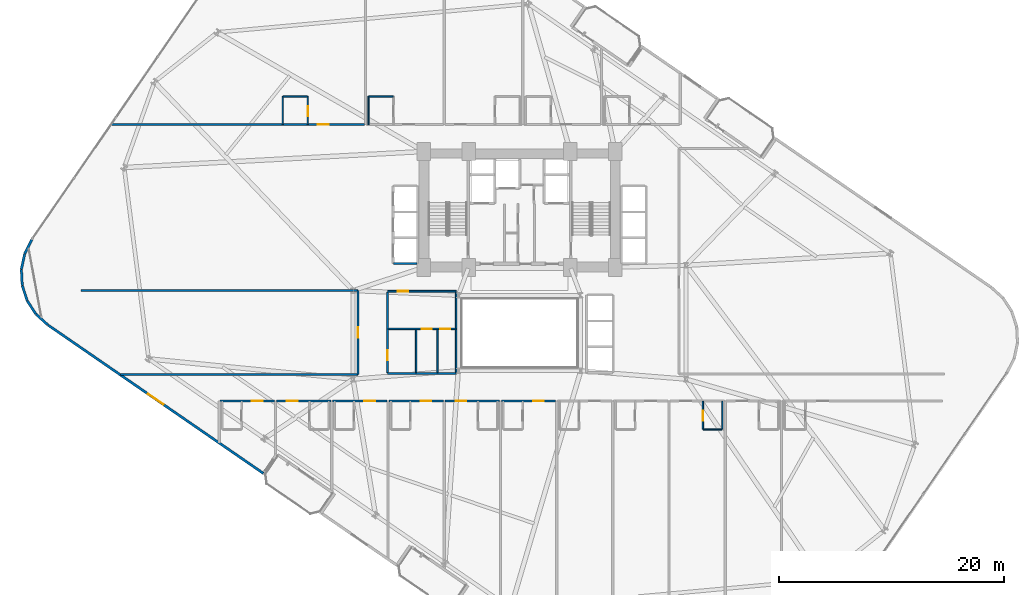
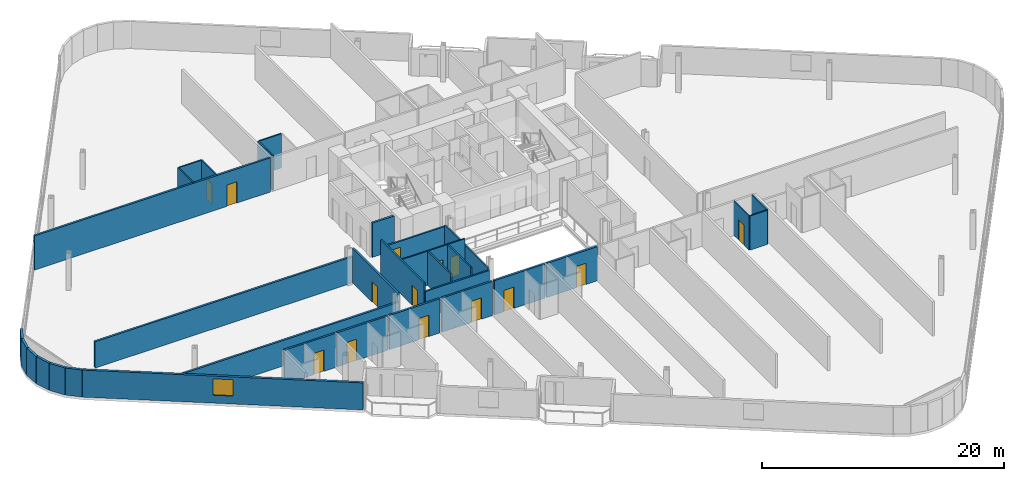
# One storey, part 20 of 27: 33 walls, 14 doors, 1 window, 15 openings.
"""IFC4 building model written with IfcOpenShell, lengths in metres."""

from ifc_helpers import new_model, si_unit, direction, frame, frame_2d, origin, place, context, subcontext, project, spatial, rectangle, extrude, material, layer, layer_set, type_object, element, fill, save


model = new_model("IFC4")

# Units and contexts
model_context = context("Model", 3, precision=1e-05, world=origin(), true_north=direction((0.0, 1.0)))
body_context = subcontext(model_context, "Body", "Model", "MODEL_VIEW")
ifc_project = project(units=[si_unit("LENGTHUNIT", "METRE"), si_unit("AREAUNIT", "SQUARE_METRE"), si_unit("VOLUMEUNIT", "CUBIC_METRE"), si_unit("PLANEANGLEUNIT", "RADIAN"), si_unit("MASSUNIT", "GRAM", prefix="KILO")], contexts=[model_context])

# Site, building, storey
site_placement = place(None, origin())
site = spatial("IfcSite", under=ifc_project, at=site_placement, CompositionType="ELEMENT")
building_placement = place(site_placement, origin())
building = spatial("IfcBuilding", under=site, at=building_placement, Name="Varnelok Gate Tower", CompositionType="ELEMENT")
storey_placement = place(building_placement, frame((0.0, 0.0, 30.699951171875)))
storey = spatial("IfcBuildingStorey", under=building, at=storey_placement, Name="L06", CompositionType="ELEMENT", Elevation=30.699951171875)

# Walls
ifc_material_1 = material(Name="Concrete C45/55", Category="concrete")
ifc_layer_1 = layer(ifc_material_1, 0.219970703125)
ifc_layer_set_1 = layer_set([ifc_layer_1], Name="Concrete C45/55")
wall_type_1 = type_object("IfcWallType", Name="EW-BALC-220", PredefinedType="SOLIDWALL", material=ifc_layer_set_1)
wall_1_placement = place(storey_placement, frame((-4.158203125, 31.24462890625, 0.0), z_axis=(0.0, 0.0, 1.0), x_axis=(-0.454777156549, -0.890605264908, 0.0)))
element("IfcWall", 1, at=wall_1_placement, inside=storey, type_object=wall_type_1, Name="L06 Perimeter Facade Closure Wall 1", PredefinedType="SOLIDWALL", context=body_context, shape_type="SweptSolid", body=[
    extrude(rectangle(XDim=1.43017578125, YDim=0.219970703125, at=frame_2d((0.715087890625, 0.0))), origin(), (0.0, 0.0, 1.0), 2.72998046875),
])
for number, where, z_axis, x_axis, name in (
    (2, (-4.81396484375, 29.946533203125, 0.0), (0.0, 0.0, 1.0), (-0.208829011645, -0.977952168511, 0.0), "L06 Perimeter Facade Closure Wall 2"),
    (3, (-5.106201171875, 28.547119140625, 0.0), (0.0, 0.0, 1.0), (0.051254741739, -0.998685611917, 0.0), "L06 Perimeter Facade Closure Wall 3"),
    (4, (-5.026611328125, 27.1201171875, 0.0), (0.0, 0.0, 1.0), (0.308190297603, -0.95132472924, 0.0), "L06 Perimeter Facade Closure Wall 4"),
    (5, (-4.580078125, 25.76220703125, 0.0), (0.0, 0.0, 1.0), (0.543748195851, -0.839248413468, 0.0), "L06 Perimeter Facade Closure Wall 5"),
):
    element("IfcWall", number, at=place(storey_placement, frame(where, z_axis=z_axis, x_axis=x_axis)), inside=storey, type_object=wall_type_1, Name=name, PredefinedType="SOLIDWALL", context=body_context, shape_type="SweptSolid", body=[
        extrude(rectangle(XDim=1.4052734375, YDim=0.219970703125, at=frame_2d((0.70263671875, 0.0))), origin(), (0.0, 0.0, 1.0), 2.72998046875),
    ])
wall_2_placement = place(storey_placement, frame((-3.79736328125, 24.56591796875, 0.0), z_axis=(0.0, 0.0, 1.0), x_axis=(0.742537711837, -0.66980425984, 0.0)))
element("IfcWall", 6, at=wall_2_placement, inside=storey, type_object=wall_type_1, Name="L06 Perimeter Facade Closure Wall 6", PredefinedType="SOLIDWALL", context=body_context, shape_type="SweptSolid", body=[
    extrude(rectangle(XDim=1.4130859375, YDim=0.219970703125, at=frame_2d((0.70654296875, 0.0))), origin(), (0.0, 0.0, 1.0), 2.72998046875),
])

# Wall, opening, window
wall_3_placement = place(storey_placement, frame((-2.7275390625, 23.60498046875, 0.0), z_axis=(0.0, 0.0, 1.0), x_axis=(0.823535075462, -0.567265351915, 0.0)))
wall_3 = element("IfcWall", 7, at=wall_3_placement, inside=storey, type_object=wall_type_1, Name="L06 Perimeter Facade Closure Wall 7", PredefinedType="SOLIDWALL", context=body_context, shape_type="SweptSolid", body=[
    extrude(rectangle(XDim=23.2470703125, YDim=0.219970703125, at=frame_2d((11.62353515625, 0.0))), origin(), (0.0, 0.0, 1.0), 2.72998046875),
])
opening_1_placement = place(wall_3_placement, frame((10.798583984375, 0.0, 0.800048828125)))
opening_1 = element("IfcOpeningElement", 8, at=opening_1_placement, cuts=wall_3, Name="Opening WN3", PredefinedType="OPENING", context=body_context, shape_type="SweptSolid", body=[
    extrude(rectangle(XDim=1.64990234375, YDim=1.64990234375, at=frame_2d((0.824951171875, 0.824951171875))), frame((0.0, 0.119873046875, 0.0), z_axis=(0.0, -1.0, 0.0), x_axis=(1.0, 0.0, 0.0)), (0.0, 0.0, 1.0), 0.239990234375),
])
ifc_material_2 = material(Name="Low-E Laminated Double Glazing IGU", Category="glass")
window_type = type_object("IfcWindowType", Name="WN-HTL-1650", PartitioningType="SINGLE_PANEL", PredefinedType="WINDOW", material=ifc_material_2)
window_placement = place(opening_1_placement, origin())
window = element("IfcWindow", 9, at=window_placement, inside=storey, type_object=window_type, Name="L06 Perimeter Vision Window 7", OverallHeight=1.64990234375, OverallWidth=1.64990234375, PartitioningType="SINGLE_PANEL", PredefinedType="WINDOW", context=body_context, shape_type="SweptSolid", body=[
    extrude(rectangle(XDim=1.64990234375, YDim=1.64990234375, at=frame_2d((0.824951171875, 0.824951171875))), frame((0.0, 0.030029296875, 0.0), z_axis=(0.0, -1.0, 0.0), x_axis=(1.0, 0.0, 0.0)), (0.0, 0.0, 1.0), 0.06005859375),
])
fill(opening_1, window)

# Wall, opening, door
ifc_material_3 = material(Name="Gypsum Plasterboard Acoustic Partition", Category="gypsum")
ifc_layer_2 = layer(ifc_material_3, 0.179931640625)
ifc_layer_set_2 = layer_set([ifc_layer_2], Name="Gypsum Plasterboard Acoustic Partition")
wall_type_2 = type_object("IfcWallType", Name="PW-CORR-180", PredefinedType="PARTITIONING", material=ifc_layer_set_2)
wall_4_placement = place(storey_placement, frame((12.580078125, 16.85009765625, 0.0), z_axis=(0.0, 0.0, 1.0), x_axis=(1.0, 0.0, 0.0)))
wall_4 = element("IfcWall", 10, at=wall_4_placement, inside=storey, type_object=wall_type_2, Name="Interior Partition", PredefinedType="PARTITIONING", context=body_context, shape_type="SweptSolid", body=[
    extrude(rectangle(XDim=4.83984375, YDim=0.179931640625, at=frame_2d((2.419921875, 0.0))), origin(), (0.0, 0.0, 1.0), 3.449951171875),
])
opening_2_placement = place(wall_4_placement, frame((2.819091796875, 0.0, 0.0)))
opening_2 = element("IfcOpeningElement", 11, at=opening_2_placement, cuts=wall_4, Name="Opening D-HT", PredefinedType="OPENING", context=body_context, shape_type="SweptSolid", body=[
    extrude(rectangle(XDim=0.949951171875, YDim=2.14990234375, at=frame_2d((0.47509765625, 1.074951171875))), frame((0.0, 0.099853515625, 0.0), z_axis=(0.0, -1.0, 0.0), x_axis=(1.0, 0.0, 0.0)), (0.0, 0.0, 1.0), 0.199951171875),
])
ifc_material_4 = material(Name="Engineered Hardwood Timber", Category="wood")
door_type_1 = type_object("IfcDoorType", Name="DR-HTL-950", OperationType="NOTDEFINED", PredefinedType="DOOR", material=ifc_material_4)
door_1_placement = place(opening_2_placement, origin())
door_1 = element("IfcDoor", 12, at=door_1_placement, inside=storey, type_object=door_type_1, Name="L06 Guest Room 02 Entrance Door", OperationType="SINGLE_SWING_LEFT", OverallHeight=2.14990234375, OverallWidth=0.949951171875, PredefinedType="DOOR", context=body_context, shape_type="SweptSolid", body=[
    extrude(rectangle(XDim=0.949951171875, YDim=2.14990234375, at=frame_2d((0.47509765625, 1.074951171875))), frame((0.0, 0.02490234375, 0.0), z_axis=(0.0, -1.0, 0.0), x_axis=(1.0, 0.0, 0.0)), (0.0, 0.0, 1.0), 0.050048828125),
])
fill(opening_2, door_1)

wall_5_placement = place(storey_placement, frame((17.580078125, 16.85009765625, 0.0), z_axis=(0.0, 0.0, 1.0), x_axis=(1.0, 0.0, 0.0)))
wall_5 = element("IfcWall", 13, at=wall_5_placement, inside=storey, type_object=wall_type_2, Name="Interior Partition", PredefinedType="PARTITIONING", context=body_context, shape_type="SweptSolid", body=[
    extrude(rectangle(XDim=4.83984375, YDim=0.179931640625, at=frame_2d((2.419921875, 0.0))), origin(), (0.0, 0.0, 1.0), 3.449951171875),
])
opening_3_placement = place(wall_5_placement, frame((0.92919921875, 0.0, 0.0)))
opening_3 = element("IfcOpeningElement", 14, at=opening_3_placement, cuts=wall_5, Name="Opening D-HT", PredefinedType="OPENING", context=body_context, shape_type="SweptSolid", body=[
    extrude(rectangle(XDim=0.949951171875, YDim=2.14990234375, at=frame_2d((0.47509765625, 1.074951171875))), frame((0.0, 0.099853515625, 0.0), z_axis=(0.0, -1.0, 0.0), x_axis=(1.0, 0.0, 0.0)), (0.0, 0.0, 1.0), 0.199951171875),
])
door_2_placement = place(opening_3_placement, origin())
door_2 = element("IfcDoor", 15, at=door_2_placement, inside=storey, type_object=door_type_1, Name="L06 Guest Room 03 Entrance Door", OperationType="SINGLE_SWING_RIGHT", OverallHeight=2.14990234375, OverallWidth=0.949951171875, PredefinedType="DOOR", context=body_context, shape_type="SweptSolid", body=[
    extrude(rectangle(XDim=0.949951171875, YDim=2.14990234375, at=frame_2d((0.47509765625, 1.074951171875))), frame((0.0, 0.02490234375, 0.0), z_axis=(0.0, -1.0, 0.0), x_axis=(1.0, 0.0, 0.0)), (0.0, 0.0, 1.0), 0.050048828125),
])
fill(opening_3, door_2)

wall_6_placement = place(storey_placement, frame((22.580078125, 16.85009765625, 0.0), z_axis=(0.0, 0.0, 1.0), x_axis=(1.0, 0.0, 0.0)))
wall_6 = element("IfcWall", 16, at=wall_6_placement, inside=storey, type_object=wall_type_2, Name="Interior Partition", PredefinedType="PARTITIONING", context=body_context, shape_type="SweptSolid", body=[
    extrude(rectangle(XDim=4.83984375, YDim=0.179931640625, at=frame_2d((2.419921875, 0.0))), origin(), (0.0, 0.0, 1.0), 3.449951171875),
])
opening_4_placement = place(wall_6_placement, frame((2.819091796875, 0.0, 0.0)))
opening_4 = element("IfcOpeningElement", 17, at=opening_4_placement, cuts=wall_6, Name="Opening D-HT", PredefinedType="OPENING", context=body_context, shape_type="SweptSolid", body=[
    extrude(rectangle(XDim=0.949951171875, YDim=2.14990234375, at=frame_2d((0.47509765625, 1.074951171875))), frame((0.0, 0.099853515625, 0.0), z_axis=(0.0, -1.0, 0.0), x_axis=(1.0, 0.0, 0.0)), (0.0, 0.0, 1.0), 0.199951171875),
])
door_3_placement = place(opening_4_placement, origin())
door_3 = element("IfcDoor", 18, at=door_3_placement, inside=storey, type_object=door_type_1, Name="L06 Guest Room 04 Entrance Door", OperationType="SINGLE_SWING_LEFT", OverallHeight=2.14990234375, OverallWidth=0.949951171875, PredefinedType="DOOR", context=body_context, shape_type="SweptSolid", body=[
    extrude(rectangle(XDim=0.949951171875, YDim=2.14990234375, at=frame_2d((0.47509765625, 1.074951171875))), frame((0.0, 0.02490234375, 0.0), z_axis=(0.0, -1.0, 0.0), x_axis=(1.0, 0.0, 0.0)), (0.0, 0.0, 1.0), 0.050048828125),
])
fill(opening_4, door_3)

wall_7_placement = place(storey_placement, frame((27.580078125, 16.85009765625, 0.0), z_axis=(0.0, 0.0, 1.0), x_axis=(1.0, 0.0, 0.0)))
wall_7 = element("IfcWall", 19, at=wall_7_placement, inside=storey, type_object=wall_type_2, Name="Interior Partition", PredefinedType="PARTITIONING", context=body_context, shape_type="SweptSolid", body=[
    extrude(rectangle(XDim=4.83984375, YDim=0.179931640625, at=frame_2d((2.419921875, 0.0))), origin(), (0.0, 0.0, 1.0), 3.449951171875),
])
opening_5_placement = place(wall_7_placement, frame((2.819091796875, 0.0, 0.0)))
opening_5 = element("IfcOpeningElement", 20, at=opening_5_placement, cuts=wall_7, Name="Opening D-HT", PredefinedType="OPENING", context=body_context, shape_type="SweptSolid", body=[
    extrude(rectangle(XDim=0.949951171875, YDim=2.14990234375, at=frame_2d((0.47509765625, 1.074951171875))), frame((0.0, 0.099853515625, 0.0), z_axis=(0.0, -1.0, 0.0), x_axis=(1.0, 0.0, 0.0)), (0.0, 0.0, 1.0), 0.199951171875),
])
door_4_placement = place(opening_5_placement, origin())
door_4 = element("IfcDoor", 21, at=door_4_placement, inside=storey, type_object=door_type_1, Name="L06 Guest Room 05 Entrance Door", OperationType="SINGLE_SWING_RIGHT", OverallHeight=2.14990234375, OverallWidth=0.949951171875, PredefinedType="DOOR", context=body_context, shape_type="SweptSolid", body=[
    extrude(rectangle(XDim=0.949951171875, YDim=2.14990234375, at=frame_2d((0.47509765625, 1.074951171875))), frame((0.0, 0.02490234375, 0.0), z_axis=(0.0, -1.0, 0.0), x_axis=(1.0, 0.0, 0.0)), (0.0, 0.0, 1.0), 0.050048828125),
])
fill(opening_5, door_4)

wall_8_placement = place(storey_placement, frame((32.580078125, 16.85009765625, 0.0), z_axis=(0.0, 0.0, 1.0), x_axis=(1.0, 0.0, 0.0)))
wall_8 = element("IfcWall", 22, at=wall_8_placement, inside=storey, type_object=wall_type_2, Name="Interior Partition", PredefinedType="PARTITIONING", context=body_context, shape_type="SweptSolid", body=[
    extrude(rectangle(XDim=4.83984375, YDim=0.179931640625, at=frame_2d((2.419921875, 0.0))), origin(), (0.0, 0.0, 1.0), 3.449951171875),
])
opening_6_placement = place(wall_8_placement, frame((0.92919921875, 0.0, 0.0)))
opening_6 = element("IfcOpeningElement", 23, at=opening_6_placement, cuts=wall_8, Name="Opening D-HT", PredefinedType="OPENING", context=body_context, shape_type="SweptSolid", body=[
    extrude(rectangle(XDim=0.949951171875, YDim=2.14990234375, at=frame_2d((0.47509765625, 1.074951171875))), frame((0.0, 0.099853515625, 0.0), z_axis=(0.0, -1.0, 0.0), x_axis=(1.0, 0.0, 0.0)), (0.0, 0.0, 1.0), 0.199951171875),
])
door_5_placement = place(opening_6_placement, origin())
door_5 = element("IfcDoor", 24, at=door_5_placement, inside=storey, type_object=door_type_1, Name="L06 Guest Room 06 Entrance Door", OperationType="SINGLE_SWING_LEFT", OverallHeight=2.14990234375, OverallWidth=0.949951171875, PredefinedType="DOOR", context=body_context, shape_type="SweptSolid", body=[
    extrude(rectangle(XDim=0.949951171875, YDim=2.14990234375, at=frame_2d((0.47509765625, 1.074951171875))), frame((0.0, 0.02490234375, 0.0), z_axis=(0.0, -1.0, 0.0), x_axis=(1.0, 0.0, 0.0)), (0.0, 0.0, 1.0), 0.050048828125),
])
fill(opening_6, door_5)

wall_9_placement = place(storey_placement, frame((37.580078125, 16.85009765625, 0.0), z_axis=(0.0, 0.0, 1.0), x_axis=(1.0, 0.0, 0.0)))
wall_9 = element("IfcWall", 25, at=wall_9_placement, inside=storey, type_object=wall_type_2, Name="Interior Partition", PredefinedType="PARTITIONING", context=body_context, shape_type="SweptSolid", body=[
    extrude(rectangle(XDim=4.83984375, YDim=0.179931640625, at=frame_2d((2.419921875, 0.0))), origin(), (0.0, 0.0, 1.0), 3.449951171875),
])
opening_7_placement = place(wall_9_placement, frame((2.819091796875, 0.0, 0.0)))
opening_7 = element("IfcOpeningElement", 26, at=opening_7_placement, cuts=wall_9, Name="Opening D-HT", PredefinedType="OPENING", context=body_context, shape_type="SweptSolid", body=[
    extrude(rectangle(XDim=0.949951171875, YDim=2.14990234375, at=frame_2d((0.47509765625, 1.074951171875))), frame((0.0, 0.099853515625, 0.0), z_axis=(0.0, -1.0, 0.0), x_axis=(1.0, 0.0, 0.0)), (0.0, 0.0, 1.0), 0.199951171875),
])
door_6_placement = place(opening_7_placement, origin())
door_6 = element("IfcDoor", 27, at=door_6_placement, inside=storey, type_object=door_type_1, Name="L06 Guest Room 07 Entrance Door", OperationType="SINGLE_SWING_RIGHT", OverallHeight=2.14990234375, OverallWidth=0.949951171875, PredefinedType="DOOR", context=body_context, shape_type="SweptSolid", body=[
    extrude(rectangle(XDim=0.949951171875, YDim=2.14990234375, at=frame_2d((0.47509765625, 1.074951171875))), frame((0.0, 0.02490234375, 0.0), z_axis=(0.0, -1.0, 0.0), x_axis=(1.0, 0.0, 0.0)), (0.0, 0.0, 1.0), 0.050048828125),
])
fill(opening_7, door_6)

wall_10_placement = place(storey_placement, frame((2.9208984375, 41.429931640625, 0.0), z_axis=(0.0, 0.0, 1.0), x_axis=(1.0, 0.0, 0.0)))
wall_10 = element("IfcWall", 28, at=wall_10_placement, inside=storey, type_object=wall_type_2, Name="Interior Partition", PredefinedType="PARTITIONING", context=body_context, shape_type="SweptSolid", body=[
    extrude(rectangle(XDim=22.4990234375, YDim=0.179931640625, at=frame_2d((11.24951171875, 0.0))), origin(), (0.0, 0.0, 1.0), 3.449951171875),
])
opening_8_placement = place(wall_10_placement, frame((18.35009765625, 0.0, 0.0)))
opening_8 = element("IfcOpeningElement", 29, at=opening_8_placement, cuts=wall_10, Name="Opening D-HT", PredefinedType="OPENING", context=body_context, shape_type="SweptSolid", body=[
    extrude(rectangle(XDim=0.949951171875, YDim=2.14990234375, at=frame_2d((0.47509765625, 1.074951171875))), frame((0.0, 0.099853515625, 0.0), z_axis=(0.0, -1.0, 0.0), x_axis=(1.0, 0.0, 0.0)), (0.0, 0.0, 1.0), 0.199951171875),
])
door_7_placement = place(opening_8_placement, origin())
door_7 = element("IfcDoor", 30, at=door_7_placement, inside=storey, type_object=door_type_1, Name="L06 Guest Room 13 Entrance Door", OperationType="SINGLE_SWING_RIGHT", OverallHeight=2.14990234375, OverallWidth=0.949951171875, PredefinedType="DOOR", context=body_context, shape_type="SweptSolid", body=[
    extrude(rectangle(XDim=0.949951171875, YDim=2.14990234375, at=frame_2d((0.47509765625, 1.074951171875))), frame((0.0, 0.02490234375, 0.0), z_axis=(0.0, -1.0, 0.0), x_axis=(1.0, 0.0, 0.0)), (0.0, 0.0, 1.0), 0.050048828125),
])
fill(opening_8, door_7)

wall_11_placement = place(storey_placement, frame((24.85009765625, 19.199951171875, 0.0), z_axis=(0.0, 0.0, 1.0), x_axis=(0.0, 1.0, 0.0)))
wall_11 = element("IfcWall", 31, at=wall_11_placement, inside=storey, type_object=wall_type_2, Name="Interior Partition", PredefinedType="PARTITIONING", context=body_context, shape_type="SweptSolid", body=[
    extrude(rectangle(XDim=7.5, YDim=0.179931640625, at=frame_2d((3.75, 0.0))), origin(), (0.0, 0.0, 1.0), 3.449951171875),
])
opening_9_placement = place(wall_11_placement, frame((3.27490234375, 0.0, 0.0)))
opening_9 = element("IfcOpeningElement", 32, at=opening_9_placement, cuts=wall_11, Name="Opening D-I2", PredefinedType="OPENING", context=body_context, shape_type="SweptSolid", body=[
    extrude(rectangle(XDim=0.949951171875, YDim=2.050048828125, at=frame_2d((0.47509765625, 1.02490234375))), frame((0.0, 0.099853515625, 0.0), z_axis=(0.0, -1.0, 0.0), x_axis=(1.0, 0.0, 0.0)), (0.0, 0.0, 1.0), 0.199951171875),
])
door_type_2 = type_object("IfcDoorType", Name="DR-INT-950", OperationType="NOTDEFINED", PredefinedType="DOOR", material=ifc_material_4)
door_8_placement = place(opening_9_placement, origin())
door_8 = element("IfcDoor", 33, at=door_8_placement, inside=storey, type_object=door_type_2, Name="L06 West Flank Room Door", OperationType="SINGLE_SWING_LEFT", OverallHeight=2.050048828125, OverallWidth=0.949951171875, PredefinedType="DOOR", context=body_context, shape_type="SweptSolid", body=[
    extrude(rectangle(XDim=0.949951171875, YDim=2.050048828125, at=frame_2d((0.47509765625, 1.02490234375))), frame((0.0, 0.02490234375, 0.0), z_axis=(0.0, -1.0, 0.0), x_axis=(1.0, 0.0, 0.0)), (0.0, 0.0, 1.0), 0.050048828125),
])
fill(opening_9, door_8)

# Walls
wall_12_placement = place(storey_placement, frame((3.702880859375, 19.199951171875, 0.0), z_axis=(0.0, 0.0, 1.0), x_axis=(1.0, 0.0, 0.0)))
element("IfcWall", 34, at=wall_12_placement, inside=storey, type_object=wall_type_2, Name="Interior Partition", PredefinedType="PARTITIONING", context=body_context, shape_type="SweptSolid", body=[
    extrude(rectangle(XDim=21.147216796875, YDim=0.179931640625, at=frame_2d((10.57373046875, 0.0))), origin(), (0.0, 0.0, 1.0), 2.580078125),
])
wall_13_placement = place(storey_placement, frame((0.199951171875, 26.699951171875, 0.0), z_axis=(0.0, 0.0, 1.0), x_axis=(1.0, 0.0, 0.0)))
element("IfcWall", 35, at=wall_13_placement, inside=storey, type_object=wall_type_2, Name="Interior Partition", PredefinedType="PARTITIONING", context=body_context, shape_type="SweptSolid", body=[
    extrude(rectangle(XDim=24.650146484375, YDim=0.179931640625, at=frame_2d((12.3251953125, 0.0))), origin(), (0.0, 0.0, 1.0), 2.662109375),
])
ifc_layer_3 = layer(ifc_material_3, 0.114990234375)
ifc_layer_set_3 = layer_set([ifc_layer_3], Name="Gypsum Plasterboard Acoustic Partition")
wall_type_3 = type_object("IfcWallType", Name="PW-ENS-125", PredefinedType="PARTITIONING", material=ifc_layer_set_3)
wall_14_placement = place(storey_placement, frame((55.550048828125, 14.330078125, 0.0), z_axis=(0.0, 0.0, 1.0), x_axis=(1.0, 0.0, 0.0)))
element("IfcWall", 36, at=wall_14_placement, inside=storey, type_object=wall_type_3, Name="Interior Partition", PredefinedType="PARTITIONING", context=body_context, shape_type="SweptSolid", body=[
    extrude(rectangle(XDim=1.64990234375, YDim=0.114990234375, at=frame_2d((0.824951171875, 0.0))), origin(), (0.0, 0.0, 1.0), 3.449951171875),
])

# Wall, opening, door
wall_15_placement = place(storey_placement, frame((55.510009765625, 14.330078125, 0.0), z_axis=(0.0, 0.0, 1.0), x_axis=(0.0, 1.0, 0.0)))
wall_15 = element("IfcWall", 37, at=wall_15_placement, inside=storey, type_object=wall_type_3, Name="Interior Partition", PredefinedType="PARTITIONING", context=body_context, shape_type="SweptSolid", body=[
    extrude(rectangle(XDim=2.52001953125, YDim=0.114990234375, at=frame_2d((1.260009765625, 0.0))), origin(), (0.0, 0.0, 1.0), 3.449951171875),
])
opening_10_placement = place(wall_15_placement, frame((0.760009765625, 0.0, 0.0)))
opening_10 = element("IfcOpeningElement", 38, at=opening_10_placement, cuts=wall_15, Name="Opening D-WC", PredefinedType="OPENING", context=body_context, shape_type="SweptSolid", body=[
    extrude(rectangle(XDim=0.89990234375, YDim=2.050048828125, at=frame_2d((0.449951171875, 1.02490234375))), frame((0.0, 0.0673828125, 0.0), z_axis=(0.0, -1.0, 0.0), x_axis=(1.0, 0.0, 0.0)), (0.0, 0.0, 1.0), 0.135009765625),
])
door_type_3 = type_object("IfcDoorType", Name="DR-BATH-900", OperationType="NOTDEFINED", PredefinedType="DOOR", material=ifc_material_4)
door_9_placement = place(opening_10_placement, origin())
door_9 = element("IfcDoor", 39, at=door_9_placement, inside=storey, type_object=door_type_3, Name="L06 Guest En-Suite 10 Door", OperationType="SINGLE_SWING_RIGHT", OverallHeight=2.050048828125, OverallWidth=0.89990234375, PredefinedType="DOOR", context=body_context, shape_type="SweptSolid", body=[
    extrude(rectangle(XDim=0.89990234375, YDim=2.050048828125, at=frame_2d((0.449951171875, 1.02490234375))), frame((0.0, 0.02490234375, 0.0), z_axis=(0.0, -1.0, 0.0), x_axis=(1.0, 0.0, 0.0)), (0.0, 0.0, 1.0), 0.050048828125),
])
fill(opening_10, door_9)

# Walls
wall_16_placement = place(storey_placement, frame((57.239990234375, 14.330078125, 0.0), z_axis=(0.0, 0.0, 1.0), x_axis=(0.0, 1.0, 0.0)))
element("IfcWall", 40, at=wall_16_placement, inside=storey, type_object=wall_type_3, Name="Interior Partition", PredefinedType="PARTITIONING", context=body_context, shape_type="SweptSolid", body=[
    extrude(rectangle(XDim=2.52001953125, YDim=0.114990234375, at=frame_2d((1.260009765625, 0.0))), origin(), (0.0, 0.0, 1.0), 3.449951171875),
])
wall_17_placement = place(storey_placement, frame((18.179931640625, 43.949951171875, 0.0), z_axis=(0.0, 0.0, 1.0), x_axis=(1.0, 0.0, 0.0)))
element("IfcWall", 41, at=wall_17_placement, inside=storey, type_object=wall_type_3, Name="Interior Partition", PredefinedType="PARTITIONING", context=body_context, shape_type="SweptSolid", body=[
    extrude(rectangle(XDim=2.150146484375, YDim=0.114990234375, at=frame_2d((1.0751953125, 0.0))), origin(), (0.0, 0.0, 1.0), 3.449951171875),
])

# Wall, opening, door
wall_18_placement = place(storey_placement, frame((20.3701171875, 41.429931640625, 0.0), z_axis=(0.0, 0.0, 1.0), x_axis=(0.0, 1.0, 0.0)))
wall_18 = element("IfcWall", 42, at=wall_18_placement, inside=storey, type_object=wall_type_3, Name="Interior Partition", PredefinedType="PARTITIONING", context=body_context, shape_type="SweptSolid", body=[
    extrude(rectangle(XDim=2.52001953125, YDim=0.114990234375, at=frame_2d((1.260009765625, 0.0))), origin(), (0.0, 0.0, 1.0), 3.449951171875),
])
opening_11_placement = place(wall_18_placement, frame((0.760009765625, 0.0, 0.0)))
opening_11 = element("IfcOpeningElement", 43, at=opening_11_placement, cuts=wall_18, Name="Opening D-WC", PredefinedType="OPENING", context=body_context, shape_type="SweptSolid", body=[
    extrude(rectangle(XDim=0.89990234375, YDim=2.050048828125, at=frame_2d((0.449951171875, 1.02490234375))), frame((0.0, 0.0673828125, 0.0), z_axis=(0.0, -1.0, 0.0), x_axis=(1.0, 0.0, 0.0)), (0.0, 0.0, 1.0), 0.135009765625),
])
door_10_placement = place(opening_11_placement, origin())
door_10 = element("IfcDoor", 44, at=door_10_placement, inside=storey, type_object=door_type_3, Name="L06 North En-Suite 13 Door", OperationType="SINGLE_SWING_RIGHT", OverallHeight=2.050048828125, OverallWidth=0.89990234375, PredefinedType="DOOR", context=body_context, shape_type="SweptSolid", body=[
    extrude(rectangle(XDim=0.89990234375, YDim=2.050048828125, at=frame_2d((0.449951171875, 1.02490234375))), frame((0.0, 0.02490234375, 0.0), z_axis=(0.0, -1.0, 0.0), x_axis=(1.0, 0.0, 0.0)), (0.0, 0.0, 1.0), 0.050048828125),
])
fill(opening_11, door_10)

# Walls
wall_19_placement = place(storey_placement, frame((18.139892578125, 41.429931640625, 0.0), z_axis=(0.0, 0.0, 1.0), x_axis=(0.0, 1.0, 0.0)))
element("IfcWall", 45, at=wall_19_placement, inside=storey, type_object=wall_type_3, Name="Interior Partition", PredefinedType="PARTITIONING", context=body_context, shape_type="SweptSolid", body=[
    extrude(rectangle(XDim=2.52001953125, YDim=0.114990234375, at=frame_2d((1.260009765625, 0.0))), origin(), (0.0, 0.0, 1.0), 3.449951171875),
])
wall_20_placement = place(storey_placement, frame((25.800048828125, 43.949951171875, 0.0), z_axis=(0.0, 0.0, 1.0), x_axis=(1.0, 0.0, 0.0)))
element("IfcWall", 46, at=wall_20_placement, inside=storey, type_object=wall_type_3, Name="Interior Partition", PredefinedType="PARTITIONING", context=body_context, shape_type="SweptSolid", body=[
    extrude(rectangle(XDim=2.14990234375, YDim=0.114990234375, at=frame_2d((1.074951171875, 0.0))), origin(), (0.0, 0.0, 1.0), 3.449951171875),
])
wall_21_placement = place(storey_placement, frame((25.760009765625, 41.429931640625, 0.0), z_axis=(0.0, 0.0, 1.0), x_axis=(0.0, 1.0, 0.0)))
element("IfcWall", 47, at=wall_21_placement, inside=storey, type_object=wall_type_3, Name="Interior Partition", PredefinedType="PARTITIONING", context=body_context, shape_type="SweptSolid", body=[
    extrude(rectangle(XDim=2.52001953125, YDim=0.114990234375, at=frame_2d((1.260009765625, 0.0))), origin(), (0.0, 0.0, 1.0), 3.449951171875),
])

# Wall, openings, doors
ifc_layer_4 = layer(ifc_material_3, 0.125)
ifc_layer_set_4 = layer_set([ifc_layer_4], Name="Gypsum Plasterboard Acoustic Partition")
wall_type_4 = type_object("IfcWallType", Name="PW-PART-125", PredefinedType="PARTITIONING", material=ifc_layer_set_4)
wall_22_placement = place(storey_placement, frame((27.52001953125, 23.27001953125, 0.0), z_axis=(0.0, 0.0, 1.0), x_axis=(1.0, 0.0, 0.0)))
wall_22 = element("IfcWall", 48, at=wall_22_placement, inside=storey, type_object=wall_type_4, Name="Interior Partition", PredefinedType="PARTITIONING", context=body_context, shape_type="SweptSolid", body=[
    extrude(rectangle(XDim=6.0, YDim=0.125, at=frame_2d((3.0, 0.0))), origin(), (0.0, 0.0, 1.0), 3.449951171875),
])
opening_12_placement = place(wall_22_placement, frame((2.981689453125, 0.0, 0.0)))
opening_12 = element("IfcOpeningElement", 49, at=opening_12_placement, cuts=wall_22, Name="Opening D-I4", PredefinedType="OPENING", context=body_context, shape_type="SweptSolid", body=[
    extrude(rectangle(XDim=0.89990234375, YDim=2.050048828125, at=frame_2d((0.449951171875, 1.02490234375))), frame((0.0, 0.072509765625, 0.0), z_axis=(0.0, -1.0, 0.0), x_axis=(1.0, 0.0, 0.0)), (0.0, 0.0, 1.0), 0.14501953125),
])
opening_13_placement = place(wall_22_placement, frame((4.64990234375, 0.0, 0.0)))
opening_13 = element("IfcOpeningElement", 50, at=opening_13_placement, cuts=wall_22, Name="Opening D-RS", PredefinedType="OPENING", context=body_context, shape_type="SweptSolid", body=[
    extrude(rectangle(XDim=0.85009765625, YDim=2.050048828125, at=frame_2d((0.425048828125, 1.02490234375))), frame((0.0, 0.072509765625, 0.0), z_axis=(0.0, -1.0, 0.0), x_axis=(1.0, 0.0, 0.0)), (0.0, 0.0, 1.0), 0.14501953125),
])
door_type_4 = type_object("IfcDoorType", Name="DR-INT-900", OperationType="NOTDEFINED", PredefinedType="DOOR", material=ifc_material_4)
door_11_placement = place(opening_12_placement, origin())
door_11 = element("IfcDoor", 51, at=door_11_placement, inside=storey, type_object=door_type_4, Name="L06 Trolley Room Door", OperationType="SINGLE_SWING_LEFT", OverallHeight=2.050048828125, OverallWidth=0.89990234375, PredefinedType="DOOR", context=body_context, shape_type="SweptSolid", body=[
    extrude(rectangle(XDim=0.89990234375, YDim=2.050048828125, at=frame_2d((0.449951171875, 1.02490234375))), frame((0.0, 0.02490234375, 0.0), z_axis=(0.0, -1.0, 0.0), x_axis=(1.0, 0.0, 0.0)), (0.0, 0.0, 1.0), 0.050048828125),
])
fill(opening_12, door_11)
ifc_material_5 = material(Name="Galvanized Steel Grade S350GD", Category="steel")
door_type_5 = type_object("IfcDoorType", Name="DR-RISER-850", OperationType="NOTDEFINED", PredefinedType="DOOR", material=ifc_material_5)
door_12_placement = place(opening_13_placement, origin())
door_12 = element("IfcDoor", 52, at=door_12_placement, inside=storey, type_object=door_type_5, Name="L06 Janitor Sink Door", OperationType="SINGLE_SWING_RIGHT", OverallHeight=2.050048828125, OverallWidth=0.85009765625, PredefinedType="DOOR", context=body_context, shape_type="SweptSolid", body=[
    extrude(rectangle(XDim=0.85009765625, YDim=2.050048828125, at=frame_2d((0.425048828125, 1.02490234375))), frame((0.0, 0.02490234375, 0.0), z_axis=(0.0, -1.0, 0.0), x_axis=(1.0, 0.0, 0.0)), (0.0, 0.0, 1.0), 0.050048828125),
])
fill(opening_13, door_12)

# Walls
for number, where, z_axis, x_axis, name in (
    (53, (30.0, 19.3798828125, 0.0), (0.0, 0.0, 1.0), (0.0, 1.0, 0.0), "Interior Partition"),
    (54, (31.89990234375, 19.3798828125, 0.0), (0.0, 0.0, 1.0), (0.0, 1.0, 0.0), "Interior Partition"),
):
    element("IfcWall", number, at=place(storey_placement, frame(where, z_axis=z_axis, x_axis=x_axis)), inside=storey, type_object=wall_type_4, Name=name, PredefinedType="PARTITIONING", context=body_context, shape_type="SweptSolid", body=[
        extrude(rectangle(XDim=3.820068359375, YDim=0.125, at=frame_2d((1.91015625, 0.0))), origin(), (0.0, 0.0, 1.0), 3.449951171875),
    ])

# Wall, opening, door
ifc_layer_5 = layer(ifc_material_3, 0.14990234375)
ifc_layer_set_5 = layer_set([ifc_layer_5], Name="Gypsum Plasterboard Acoustic Partition")
wall_type_5 = type_object("IfcWallType", Name="PW-PART-150", PredefinedType="PARTITIONING", material=ifc_layer_set_5)
wall_23_placement = place(storey_placement, frame((27.4599609375, 26.6201171875, 0.0), z_axis=(0.0, 0.0, 1.0), x_axis=(1.0, 0.0, 0.0)))
wall_23 = element("IfcWall", 55, at=wall_23_placement, inside=storey, type_object=wall_type_5, Name="Interior Partition", PredefinedType="PARTITIONING", context=body_context, shape_type="SweptSolid", body=[
    extrude(rectangle(XDim=6.10009765625, YDim=0.14990234375, at=frame_2d((3.050048828125, 0.0))), origin(), (0.0, 0.0, 1.0), 2.662109375),
])
opening_14_placement = place(wall_23_placement, frame((0.8896484375, 0.0, 0.0)))
opening_14 = element("IfcOpeningElement", 56, at=opening_14_placement, cuts=wall_23, Name="Opening D-I2", PredefinedType="OPENING", context=body_context, shape_type="SweptSolid", body=[
    extrude(rectangle(XDim=0.949951171875, YDim=2.050048828125, at=frame_2d((0.47509765625, 1.02490234375))), frame((0.0, 0.0849609375, 0.0), z_axis=(0.0, -1.0, 0.0), x_axis=(1.0, 0.0, 0.0)), (0.0, 0.0, 1.0), 0.169921875),
])
door_13_placement = place(opening_14_placement, origin())
door_13 = element("IfcDoor", 57, at=door_13_placement, inside=storey, type_object=door_type_2, Name="L06 Hotel Business Center Door", OperationType="SINGLE_SWING_LEFT", OverallHeight=2.050048828125, OverallWidth=0.949951171875, PredefinedType="DOOR", context=body_context, shape_type="SweptSolid", body=[
    extrude(rectangle(XDim=0.949951171875, YDim=2.050048828125, at=frame_2d((0.47509765625, 1.02490234375))), frame((0.0, 0.02490234375, 0.0), z_axis=(0.0, -1.0, 0.0), x_axis=(1.0, 0.0, 0.0)), (0.0, 0.0, 1.0), 0.050048828125),
])
fill(opening_14, door_13)

# Wall
wall_24_placement = place(storey_placement, frame((27.4599609375, 19.300048828125, 0.0), z_axis=(0.0, 0.0, 1.0), x_axis=(1.0, 0.0, 0.0)))
element("IfcWall", 58, at=wall_24_placement, inside=storey, type_object=wall_type_5, Name="Interior Partition", PredefinedType="PARTITIONING", context=body_context, shape_type="SweptSolid", body=[
    extrude(rectangle(XDim=6.10009765625, YDim=0.14990234375, at=frame_2d((3.050048828125, 0.0))), origin(), (0.0, 0.0, 1.0), 2.662109375),
])

# Wall, opening, door
wall_25_placement = place(storey_placement, frame((27.4599609375, 19.3798828125, 0.0), z_axis=(0.0, 0.0, 1.0), x_axis=(0.0, 1.0, 0.0)))
wall_25 = element("IfcWall", 59, at=wall_25_placement, inside=storey, type_object=wall_type_5, Name="Interior Partition", PredefinedType="PARTITIONING", context=body_context, shape_type="SweptSolid", body=[
    extrude(rectangle(XDim=7.16015625, YDim=0.14990234375, at=frame_2d((3.580078125, 0.0))), origin(), (0.0, 0.0, 1.0), 3.449951171875),
])
opening_15_placement = place(wall_25_placement, frame((1.10009765625, 0.0, 0.0)))
opening_15 = element("IfcOpeningElement", 60, at=opening_15_placement, cuts=wall_25, Name="Opening D-WC", PredefinedType="OPENING", context=body_context, shape_type="SweptSolid", body=[
    extrude(rectangle(XDim=0.89990234375, YDim=2.050048828125, at=frame_2d((0.449951171875, 1.02490234375))), frame((0.0, 0.0849609375, 0.0), z_axis=(0.0, -1.0, 0.0), x_axis=(1.0, 0.0, 0.0)), (0.0, 0.0, 1.0), 0.169921875),
])
door_14_placement = place(opening_15_placement, origin())
door_14 = element("IfcDoor", 61, at=door_14_placement, inside=storey, type_object=door_type_3, Name="L06 Accessible Floor WC Door", OperationType="SINGLE_SWING_RIGHT", OverallHeight=2.050048828125, OverallWidth=0.89990234375, PredefinedType="DOOR", context=body_context, shape_type="SweptSolid", body=[
    extrude(rectangle(XDim=0.89990234375, YDim=2.050048828125, at=frame_2d((0.449951171875, 1.02490234375))), frame((0.0, 0.02490234375, 0.0), z_axis=(0.0, -1.0, 0.0), x_axis=(1.0, 0.0, 0.0)), (0.0, 0.0, 1.0), 0.050048828125),
])
fill(opening_15, door_14)

# Walls
wall_26_placement = place(storey_placement, frame((33.56005859375, 19.3798828125, 0.0), z_axis=(0.0, 0.0, 1.0), x_axis=(0.0, 1.0, 0.0)))
element("IfcWall", 62, at=wall_26_placement, inside=storey, type_object=wall_type_5, Name="Interior Partition", PredefinedType="PARTITIONING", context=body_context, shape_type="SweptSolid", body=[
    extrude(rectangle(XDim=7.16015625, YDim=0.14990234375, at=frame_2d((3.580078125, 0.0))), origin(), (0.0, 0.0, 1.0), 2.823974609375),
])
ifc_material_6 = material(Name="Concrete C35/45", Category="concrete")
ifc_layer_6 = layer(ifc_material_6, 0.199951171875)
ifc_layer_set_6 = layer_set([ifc_layer_6], Name="Concrete C35/45")
wall_type_6 = type_object("IfcWallType", Name="PW-SHAFT-200", PredefinedType="PARTITIONING", material=ifc_layer_set_6)
wall_27_placement = place(storey_placement, frame((28.0, 29.080078125, 0.0), z_axis=(0.0, 0.0, 1.0), x_axis=(1.0, 0.0, 0.0)))
element("IfcWall", 63, at=wall_27_placement, inside=storey, type_object=wall_type_6, Name="L06 PL Bank South Wall", PredefinedType="PARTITIONING", context=body_context, shape_type="SweptSolid", body=[
    extrude(rectangle(XDim=2.10009765625, YDim=0.199951171875, at=frame_2d((1.050048828125, 0.0))), origin(), (0.0, 0.0, 1.0), 3.449951171875),
])

save(model, "model.ifc")
